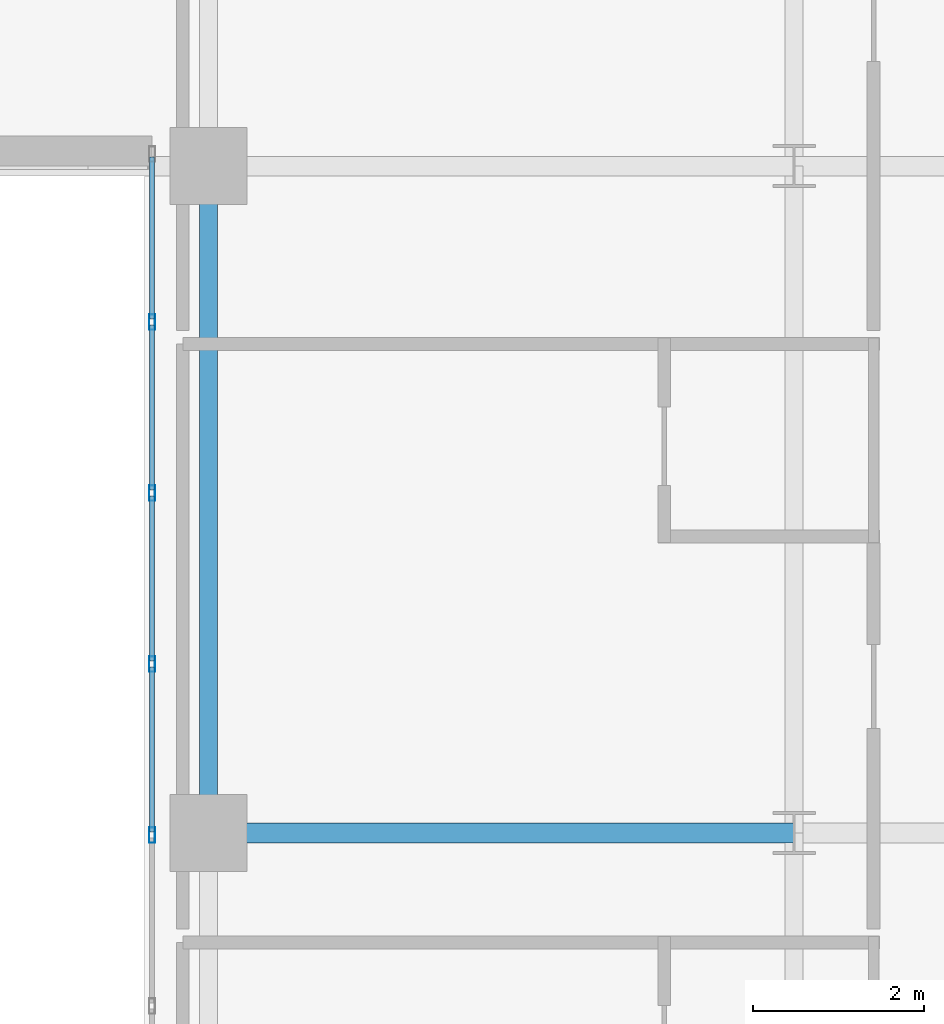
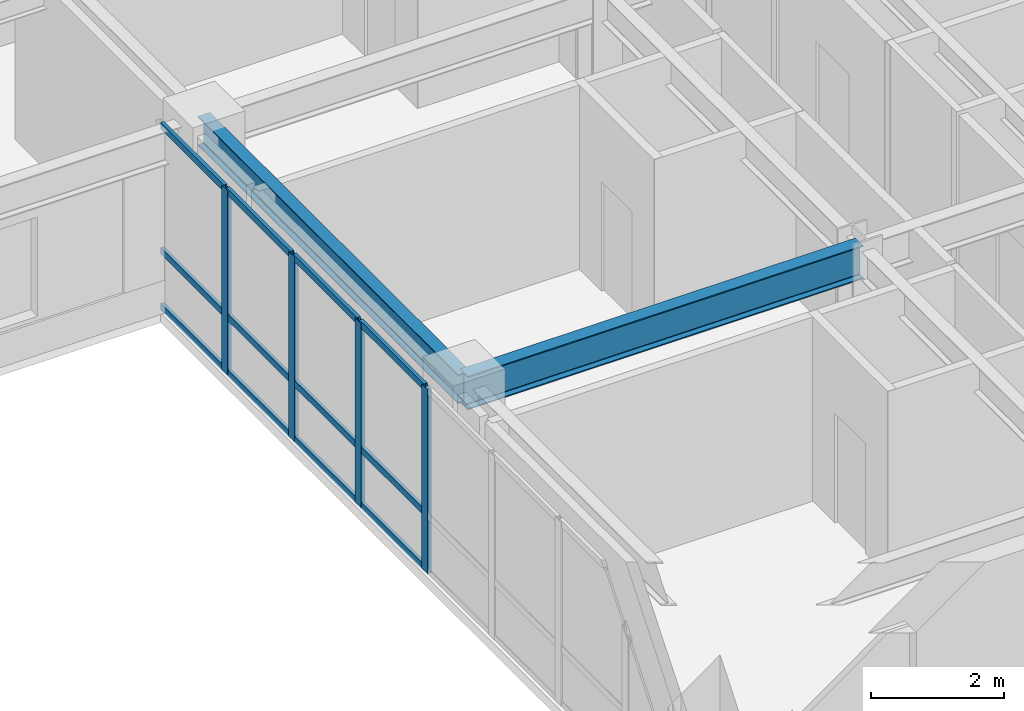
# One storey, part 9 of 25: 16 members, 2 beams, 1 element without a shape of its own.
"""IFC4 building model written with IfcOpenShell, lengths in metres."""

from ifc_helpers import new_model, si_unit, direction, frame, origin, origin_2d, place, context, subcontext, project, spatial, hollow_rectangle, i_section, extrude, source, transform, mapped, material, layer, layer_set, material_profile, profile_set, type_object, type_shapes, element, aggregate, save


model = new_model("IFC4")

# Units and contexts
model_context = context("Model", 3, precision=1e-05, world=origin(), true_north=direction((0.0, 1.0)))
body_context = subcontext(model_context, "Body", "Model", "MODEL_VIEW")
ifc_project = project(units=[si_unit("LENGTHUNIT", "METRE"), si_unit("AREAUNIT", "SQUARE_METRE"), si_unit("VOLUMEUNIT", "CUBIC_METRE"), si_unit("PLANEANGLEUNIT", "RADIAN"), si_unit("MASSUNIT", "GRAM", prefix="KILO")], contexts=[model_context])

# Site, building, storey
site_placement = place(None, origin())
site = spatial("IfcSite", under=ifc_project, at=site_placement, CompositionType="ELEMENT")
building_placement = place(site_placement, origin())
building = spatial("IfcBuilding", under=site, at=building_placement, Name="Tolvann Quenvar Hotel", CompositionType="ELEMENT")
storey_placement = place(building_placement, frame((0.0, 0.0, 111.550048828125)))
storey = spatial("IfcBuildingStorey", under=building, at=storey_placement, Name="L28", CompositionType="ELEMENT", Elevation=111.550048828125)

# Beams
ifc_material_1 = material(Name="Steel Grade 350", Category="steel")
ifc_material_profile_1 = material_profile(ifc_material_1, i_section(OverallWidth=0.22900390625, OverallDepth=0.612060546875, WebThickness=0.011962890625, FlangeThickness=0.01953125, FilletRadius=0.013916015625, at=origin_2d()), Name="610UB125")
ifc_profile_set_1 = profile_set([ifc_material_profile_1], Name="Steel Grade 350")
beam_type_1 = type_object("IfcBeamType", Name="BM_GIRD_610UB125", PredefinedType="BEAM", material=ifc_profile_set_1)
shared_shape_1 = source(origin(), body_context, "Body", "SweptSolid", [
    extrude(i_section(OverallWidth=0.22900390625, OverallDepth=0.612060546875, WebThickness=0.011962890625, FlangeThickness=0.01953125, FilletRadius=0.013916015625, at=origin_2d()), origin(), (0.0, 0.0, 1.0), 6.85009765625),
])
type_shapes(beam_type_1, [shared_shape_1])
beam_1_placement = place(storey_placement, frame((34.949951171875, 8.199951171875, 3.06396484375), z_axis=(1.0, 0.0, 0.0), x_axis=(0.0, 1.0, 0.0)))
element("IfcBeam", 1, at=beam_1_placement, inside=storey, type_object=beam_type_1, Name="BM-L28-EW-3-F3-H3", PredefinedType="BEAM", context=body_context, shape_type="MappedRepresentation", body=[
    mapped(shared_shape_1, transform((0.0, 0.0, 0.0), x_axis=(1.0, 0.0, 0.0), y_axis=(0.0, 1.0, 0.0), z_axis=(0.0, 0.0, 1.0), scale=1.0)),
])
ifc_material_profile_2 = material_profile(ifc_material_1, i_section(OverallWidth=0.208984375, OverallDepth=0.532958984375, WebThickness=0.01025390625, FlangeThickness=0.015625, FilletRadius=0.013916015625, at=origin_2d()), Name="530UB92")
ifc_profile_set_2 = profile_set([ifc_material_profile_2], Name="Steel Grade 350")
beam_type_2 = type_object("IfcBeamType", Name="BM_GIRD_530UB92", PredefinedType="BEAM", material=ifc_profile_set_2)
shared_shape_2 = source(origin(), body_context, "Body", "SweptSolid", [
    extrude(i_section(OverallWidth=0.208984375, OverallDepth=0.532958984375, WebThickness=0.01025390625, FlangeThickness=0.015625, FilletRadius=0.013916015625, at=origin_2d()), origin(), (0.0, 0.0, 1.0), 7.800048828125),
])
type_shapes(beam_type_2, [shared_shape_2])
beam_2_placement = place(storey_placement, frame((34.949951171875, 8.199951171875, 3.103515625), z_axis=(0.0, 1.0, 0.0), x_axis=(-1.0, 0.0, 0.0)))
element("IfcBeam", 2, at=beam_2_placement, inside=storey, type_object=beam_type_2, Name="BM-L28-NS-F3-F4", PredefinedType="BEAM", context=body_context, shape_type="MappedRepresentation", body=[
    mapped(shared_shape_2, transform((0.0, 0.0, 0.0), x_axis=(1.0, 0.0, 0.0), y_axis=(0.0, 1.0, 0.0), z_axis=(0.0, 0.0, 1.0), scale=1.0)),
])

# Curtain wall, members
ifc_material_2 = material(Name="Thermally broken anodised architectural aluminium 6063-T6 and laminated low-E glass", Category="aluminium")
ifc_layer = layer(ifc_material_2, 0.179931640625)
ifc_layer_set = layer_set([ifc_layer], Name="Thermally broken anodised architectural aluminium 6063-T6 and laminated low-E glass")
curtain_wall_type = type_object("IfcCurtainWallType", Name="CW_SYS_SLOT_03", PredefinedType="USERDEFINED", material=ifc_layer_set)
curtain_wall_placement = place(storey_placement, origin())
curtain_wall = element("IfcCurtainWall", 3, at=curtain_wall_placement, inside=storey, type_object=curtain_wall_type, Name="Curtain Wall CW-SLOT-03 (CWR-L28-E07)", ObjectType="UNITISED CURTAIN WALL", PredefinedType="USERDEFINED")
ifc_material_3 = material(Name="Anodised architectural aluminium 6063-T6 framing", Category="aluminium")
ifc_material_profile_3 = material_profile(ifc_material_3, hollow_rectangle(XDim=0.06005859375, YDim=0.1201171875, WallThickness=0.00341796875, at=origin_2d()), Name="120x60x3.5RHS")
ifc_profile_set_3 = profile_set([ifc_material_profile_3], Name="Anodised architectural aluminium 6063-T6 framing")
member_type_1 = type_object("IfcMemberType", Name="CW_TRAN_120x60", PredefinedType="USERDEFINED", material=ifc_profile_set_3)
shared_shape_3 = source(origin(), body_context, "Body", "SweptSolid", [
    extrude(hollow_rectangle(XDim=0.06005859375, YDim=0.1201171875, WallThickness=0.00341796875, at=origin_2d()), origin(), (0.0, 0.0, 1.0), 1.929931640625),
])
member_1_placement = place(storey_placement, frame((34.2900390625, 14.139892578125, 0.030029296875), z_axis=(0.0, -1.0, 0.0), x_axis=(1.0, 0.0, 0.0)))
member_1 = element("IfcMember", 4, at=member_1_placement, type_object=member_type_1, Name="CW-SLOT-03 transom 2.1", ObjectType="TRANSOM", PredefinedType="USERDEFINED", context=body_context, shape_type="MappedRepresentation", body=[
    mapped(shared_shape_3, transform((0.0, 0.0, 0.0), x_axis=(1.0, 0.0, 0.0), y_axis=(0.0, 1.0, 0.0), z_axis=(0.0, 0.0, 1.0), scale=1.0)),
])
member_2_placement = place(storey_placement, frame((34.2900390625, 14.139892578125, 1.050048828125), z_axis=(0.0, -1.0, 0.0), x_axis=(1.0, 0.0, 0.0)))
member_2 = element("IfcMember", 5, at=member_2_placement, type_object=member_type_1, Name="CW-SLOT-03 transom 2.2", ObjectType="TRANSOM", PredefinedType="USERDEFINED", context=body_context, shape_type="MappedRepresentation", body=[
    mapped(shared_shape_3, transform((0.0, 0.0, 0.0), x_axis=(1.0, 0.0, 0.0), y_axis=(0.0, 1.0, 0.0), z_axis=(0.0, 0.0, 1.0), scale=1.0)),
])
member_3_placement = place(storey_placement, frame((34.2900390625, 14.139892578125, 3.33984375), z_axis=(0.0, -1.0, 0.0), x_axis=(1.0, 0.0, 0.0)))
member_3 = element("IfcMember", 6, at=member_3_placement, type_object=member_type_1, Name="CW-SLOT-03 transom 2.3", ObjectType="TRANSOM", PredefinedType="USERDEFINED", context=body_context, shape_type="MappedRepresentation", body=[
    mapped(shared_shape_3, transform((0.0, 0.0, 0.0), x_axis=(1.0, 0.0, 0.0), y_axis=(0.0, 1.0, 0.0), z_axis=(0.0, 0.0, 1.0), scale=1.0)),
])
member_4_placement = place(storey_placement, frame((34.2900390625, 12.139892578125, 0.030029296875), z_axis=(0.0, -1.0, 0.0), x_axis=(1.0, 0.0, 0.0)))
member_4 = element("IfcMember", 7, at=member_4_placement, type_object=member_type_1, Name="CW-SLOT-03 transom 3.1", ObjectType="TRANSOM", PredefinedType="USERDEFINED", context=body_context, shape_type="MappedRepresentation", body=[
    mapped(shared_shape_3, transform((0.0, 0.0, 0.0), x_axis=(1.0, 0.0, 0.0), y_axis=(0.0, 1.0, 0.0), z_axis=(0.0, 0.0, 1.0), scale=1.0)),
])
member_5_placement = place(storey_placement, frame((34.2900390625, 12.139892578125, 1.050048828125), z_axis=(0.0, -1.0, 0.0), x_axis=(1.0, 0.0, 0.0)))
member_5 = element("IfcMember", 8, at=member_5_placement, type_object=member_type_1, Name="CW-SLOT-03 transom 3.2", ObjectType="TRANSOM", PredefinedType="USERDEFINED", context=body_context, shape_type="MappedRepresentation", body=[
    mapped(shared_shape_3, transform((0.0, 0.0, 0.0), x_axis=(1.0, 0.0, 0.0), y_axis=(0.0, 1.0, 0.0), z_axis=(0.0, 0.0, 1.0), scale=1.0)),
])
member_6_placement = place(storey_placement, frame((34.2900390625, 12.139892578125, 3.33984375), z_axis=(0.0, -1.0, 0.0), x_axis=(1.0, 0.0, 0.0)))
member_6 = element("IfcMember", 9, at=member_6_placement, type_object=member_type_1, Name="CW-SLOT-03 transom 3.3", ObjectType="TRANSOM", PredefinedType="USERDEFINED", context=body_context, shape_type="MappedRepresentation", body=[
    mapped(shared_shape_3, transform((0.0, 0.0, 0.0), x_axis=(1.0, 0.0, 0.0), y_axis=(0.0, 1.0, 0.0), z_axis=(0.0, 0.0, 1.0), scale=1.0)),
])
member_7_placement = place(storey_placement, frame((34.2900390625, 10.139892578125, 0.030029296875), z_axis=(0.0, -1.0, 0.0), x_axis=(1.0, 0.0, 0.0)))
member_7 = element("IfcMember", 10, at=member_7_placement, type_object=member_type_1, Name="CW-SLOT-03 transom 4.1", ObjectType="TRANSOM", PredefinedType="USERDEFINED", context=body_context, shape_type="MappedRepresentation", body=[
    mapped(shared_shape_3, transform((0.0, 0.0, 0.0), x_axis=(1.0, 0.0, 0.0), y_axis=(0.0, 1.0, 0.0), z_axis=(0.0, 0.0, 1.0), scale=1.0)),
])
member_8_placement = place(storey_placement, frame((34.2900390625, 10.139892578125, 1.050048828125), z_axis=(0.0, -1.0, 0.0), x_axis=(1.0, 0.0, 0.0)))
member_8 = element("IfcMember", 11, at=member_8_placement, type_object=member_type_1, Name="CW-SLOT-03 transom 4.2", ObjectType="TRANSOM", PredefinedType="USERDEFINED", context=body_context, shape_type="MappedRepresentation", body=[
    mapped(shared_shape_3, transform((0.0, 0.0, 0.0), x_axis=(1.0, 0.0, 0.0), y_axis=(0.0, 1.0, 0.0), z_axis=(0.0, 0.0, 1.0), scale=1.0)),
])
member_9_placement = place(storey_placement, frame((34.2900390625, 10.139892578125, 3.33984375), z_axis=(0.0, -1.0, 0.0), x_axis=(1.0, 0.0, 0.0)))
member_9 = element("IfcMember", 12, at=member_9_placement, type_object=member_type_1, Name="CW-SLOT-03 transom 4.3", ObjectType="TRANSOM", PredefinedType="USERDEFINED", context=body_context, shape_type="MappedRepresentation", body=[
    mapped(shared_shape_3, transform((0.0, 0.0, 0.0), x_axis=(1.0, 0.0, 0.0), y_axis=(0.0, 1.0, 0.0), z_axis=(0.0, 0.0, 1.0), scale=1.0)),
])
shared_shape_4 = source(origin(), body_context, "Body", "SweptSolid", [
    extrude(hollow_rectangle(XDim=0.06005859375, YDim=0.1201171875, WallThickness=0.00341796875, at=origin_2d()), origin(), (0.0, 0.0, 1.0), 1.89501953125),
])
type_shapes(member_type_1, [shared_shape_3, shared_shape_4])
member_10_placement = place(storey_placement, frame((34.2900390625, 16.10498046875, 0.030029296875), z_axis=(0.0, -1.0, 0.0), x_axis=(1.0, 0.0, 0.0)))
member_10 = element("IfcMember", 13, at=member_10_placement, type_object=member_type_1, Name="CW-SLOT-03 transom 1.1", ObjectType="TRANSOM", PredefinedType="USERDEFINED", context=body_context, shape_type="MappedRepresentation", body=[
    mapped(shared_shape_4, transform((0.0, 0.0, 0.0), x_axis=(1.0, 0.0, 0.0), y_axis=(0.0, 1.0, 0.0), z_axis=(0.0, 0.0, 1.0), scale=1.0)),
])
member_11_placement = place(storey_placement, frame((34.2900390625, 16.10498046875, 1.050048828125), z_axis=(0.0, -1.0, 0.0), x_axis=(1.0, 0.0, 0.0)))
member_11 = element("IfcMember", 14, at=member_11_placement, type_object=member_type_1, Name="CW-SLOT-03 transom 1.2", ObjectType="TRANSOM", PredefinedType="USERDEFINED", context=body_context, shape_type="MappedRepresentation", body=[
    mapped(shared_shape_4, transform((0.0, 0.0, 0.0), x_axis=(1.0, 0.0, 0.0), y_axis=(0.0, 1.0, 0.0), z_axis=(0.0, 0.0, 1.0), scale=1.0)),
])
member_12_placement = place(storey_placement, frame((34.2900390625, 16.10498046875, 3.33984375), z_axis=(0.0, -1.0, 0.0), x_axis=(1.0, 0.0, 0.0)))
member_12 = element("IfcMember", 15, at=member_12_placement, type_object=member_type_1, Name="CW-SLOT-03 transom 1.3", ObjectType="TRANSOM", PredefinedType="USERDEFINED", context=body_context, shape_type="MappedRepresentation", body=[
    mapped(shared_shape_4, transform((0.0, 0.0, 0.0), x_axis=(1.0, 0.0, 0.0), y_axis=(0.0, 1.0, 0.0), z_axis=(0.0, 0.0, 1.0), scale=1.0)),
])
ifc_material_profile_4 = material_profile(ifc_material_3, hollow_rectangle(XDim=0.070068359375, YDim=0.179931640625, WallThickness=0.00390625, at=origin_2d()), Name="180x70x4RHS")
ifc_profile_set_4 = profile_set([ifc_material_profile_4], Name="Anodised architectural aluminium 6063-T6 framing")
member_type_2 = type_object("IfcMemberType", Name="CW_MULL_180x70", PredefinedType="MULLION", material=ifc_profile_set_4)
shared_shape_5 = source(origin(), body_context, "Body", "SweptSolid", [
    extrude(hollow_rectangle(XDim=0.070068359375, YDim=0.179931640625, WallThickness=0.00390625, at=origin_2d()), origin(), (0.0, 0.0, 1.0), 3.369873046875),
])
type_shapes(member_type_2, [shared_shape_5])
member_13_placement = place(storey_placement, frame((34.2900390625, 14.175048828125, 0.0), z_axis=(0.0, 0.0, 1.0), x_axis=(1.0, 0.0, 0.0)))
member_13 = element("IfcMember", 16, at=member_13_placement, type_object=member_type_2, Name="CW-SLOT-03 mullion 2", PredefinedType="MULLION", context=body_context, shape_type="MappedRepresentation", body=[
    mapped(shared_shape_5, transform((0.0, 0.0, 0.0), x_axis=(1.0, 0.0, 0.0), y_axis=(0.0, 1.0, 0.0), z_axis=(0.0, 0.0, 1.0), scale=1.0)),
])
member_14_placement = place(storey_placement, frame((34.2900390625, 12.175048828125, 0.0), z_axis=(0.0, 0.0, 1.0), x_axis=(1.0, 0.0, 0.0)))
member_14 = element("IfcMember", 17, at=member_14_placement, type_object=member_type_2, Name="CW-SLOT-03 mullion 3", PredefinedType="MULLION", context=body_context, shape_type="MappedRepresentation", body=[
    mapped(shared_shape_5, transform((0.0, 0.0, 0.0), x_axis=(1.0, 0.0, 0.0), y_axis=(0.0, 1.0, 0.0), z_axis=(0.0, 0.0, 1.0), scale=1.0)),
])
member_15_placement = place(storey_placement, frame((34.2900390625, 10.175048828125, 0.0), z_axis=(0.0, 0.0, 1.0), x_axis=(1.0, 0.0, 0.0)))
member_15 = element("IfcMember", 18, at=member_15_placement, type_object=member_type_2, Name="CW-SLOT-03 mullion 4", PredefinedType="MULLION", context=body_context, shape_type="MappedRepresentation", body=[
    mapped(shared_shape_5, transform((0.0, 0.0, 0.0), x_axis=(1.0, 0.0, 0.0), y_axis=(0.0, 1.0, 0.0), z_axis=(0.0, 0.0, 1.0), scale=1.0)),
])
member_16_placement = place(storey_placement, frame((34.2900390625, 8.175048828125, 0.0), z_axis=(0.0, 0.0, 1.0), x_axis=(1.0, 0.0, 0.0)))
member_16 = element("IfcMember", 19, at=member_16_placement, type_object=member_type_2, Name="CW-SLOT-03 mullion 5", PredefinedType="MULLION", context=body_context, shape_type="MappedRepresentation", body=[
    mapped(shared_shape_5, transform((0.0, 0.0, 0.0), x_axis=(1.0, 0.0, 0.0), y_axis=(0.0, 1.0, 0.0), z_axis=(0.0, 0.0, 1.0), scale=1.0)),
])
aggregate(curtain_wall, [member_13, member_14, member_15, member_16, member_10, member_11, member_12, member_1, member_2, member_3, member_4, member_5, member_6, member_7, member_8, member_9])

save(model, "model.ifc")
